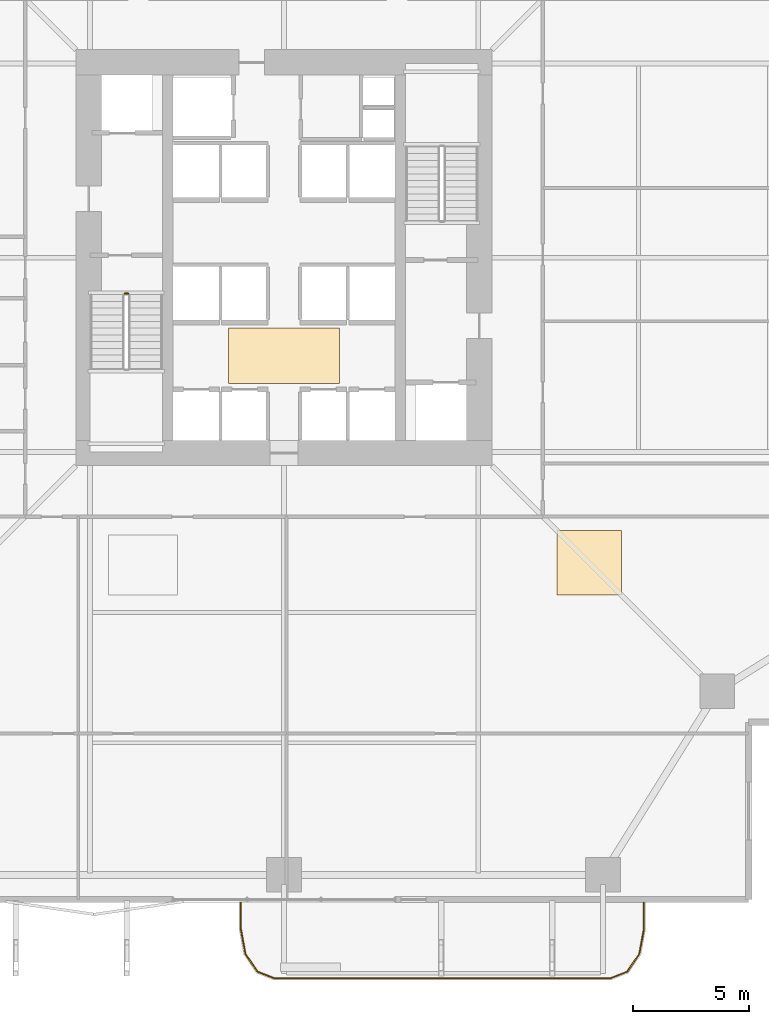
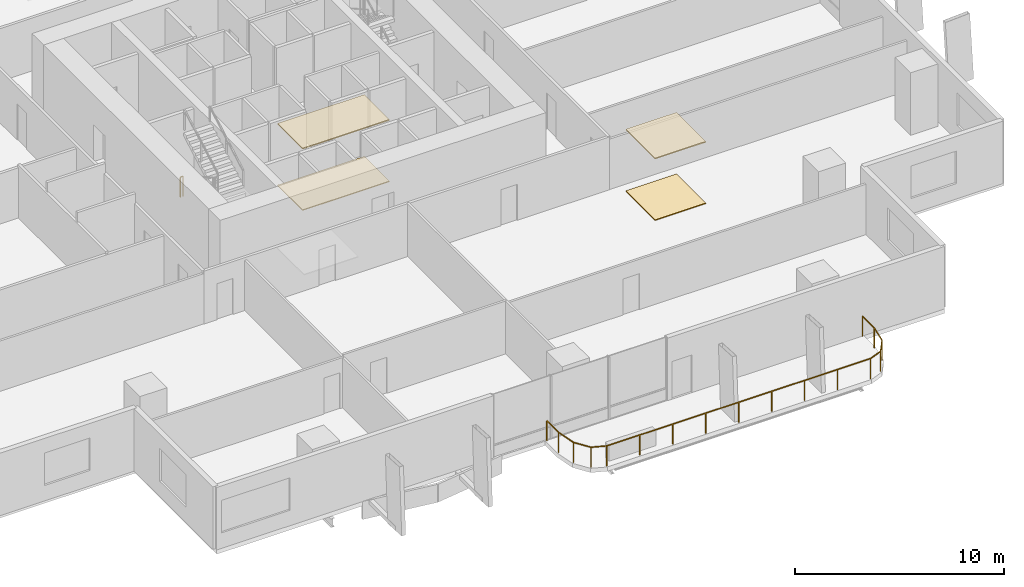
# One storey, part 22 of 24: 4 coverings, 2 railings.
"""IFC4 building model written with IfcOpenShell, lengths in metres."""

from ifc_helpers import new_model, si_unit, direction, frame, origin, origin_2d, place, context, subcontext, project, spatial, polyline, rectangle, outline, extrude, material, layer, layer_set, type_object, element, save


model = new_model("IFC4")

# Units and contexts
model_context = context("Model", 3, precision=1e-05, world=origin(), true_north=direction((0.0, 1.0)))
body_context = subcontext(model_context, "Body", "Model", "MODEL_VIEW")
ifc_project = project(units=[si_unit("LENGTHUNIT", "METRE"), si_unit("AREAUNIT", "SQUARE_METRE"), si_unit("VOLUMEUNIT", "CUBIC_METRE"), si_unit("PLANEANGLEUNIT", "RADIAN"), si_unit("MASSUNIT", "GRAM", prefix="KILO")], contexts=[model_context])

# Site, building, storey
site_placement = place(None, origin())
site = spatial("IfcSite", under=ifc_project, at=site_placement, CompositionType="ELEMENT")
building_placement = place(site_placement, origin())
building = spatial("IfcBuilding", under=site, at=building_placement, Name="Belovzor Exchange Tower", CompositionType="ELEMENT")
storey_placement = place(building_placement, frame((0.0, 0.0, 49.5)))
storey = spatial("IfcBuildingStorey", under=building, at=storey_placement, Name="L11", CompositionType="ELEMENT", Elevation=49.5)

# Railings
ifc_material_1 = material(Name="Stainless Steel and Laminated Safety Glass", Category="steel")
railing_type_1 = type_object("IfcRailingType", Name="Laminated Glass & Stainless Steel Balcony Balustrade 1200", PredefinedType="BALUSTRADE", material=ifc_material_1)
railing_1_placement = place(storey_placement, frame((26.929931640625, 0.889892578125, 0.0)))
element("IfcRailing", 1, at=railing_1_placement, inside=storey, type_object=railing_type_1, Name="GR-1 Balcony Balustrade L11 South", PredefinedType="BALUSTRADE", context=body_context, shape_type="SweptSolid", body=[
    extrude(rectangle(XDim=0.048095703125, YDim=0.048095703125, at=origin_2d()), frame((0.0, 0.0, 1.17578125), z_axis=(0.0, -1.0, 0.0), x_axis=(1.0, 0.0, 0.0)), (0.0, 0.0, 1.0), 1.1328125),
    extrude(rectangle(XDim=0.048095703125, YDim=0.048095703125, at=origin_2d()), frame((0.0, -1.1328125, 1.17578125), z_axis=(0.180083182347, -0.983651385113, 0.0), x_axis=(0.983651385113, 0.180083182347, 0.0)), (0.0, 0.0, 1.0), 1.093994140625),
    extrude(rectangle(XDim=0.048095703125, YDim=0.048095703125, at=origin_2d()), frame((0.197021484375, -2.208984375, 1.17578125), z_axis=(0.56294695933, -0.826493025367, 0.0), x_axis=(0.826493025367, 0.56294695933, 0.0)), (0.0, 0.0, 1.0), 0.932861328125),
    extrude(rectangle(XDim=0.048095703125, YDim=0.048095703125, at=origin_2d()), frame((0.72216796875, -2.97998046875, 1.17578125), z_axis=(0.930766990125, -0.365612923861, 0.0), x_axis=(0.365612923861, 0.930766990125, 0.0)), (0.0, 0.0, 1.0), 0.765869140625),
    extrude(rectangle(XDim=0.048095703125, YDim=0.048095703125, at=origin_2d()), frame((1.43505859375, -3.260009765625, 1.17578125), z_axis=(1.0, 0.0, 0.0), x_axis=(0.0, 1.0, 0.0)), (0.0, 0.0, 1.0), 14.570068359375),
    extrude(rectangle(XDim=0.048095703125, YDim=0.048095703125, at=origin_2d()), frame((16.005126953125, -3.260009765625, 1.17578125), z_axis=(0.930766990125, 0.365612923861, 0.0), x_axis=(-0.365612923861, 0.930766990125, 0.0)), (0.0, 0.0, 1.0), 0.765869140625),
    extrude(rectangle(XDim=0.048095703125, YDim=0.048095703125, at=origin_2d()), frame((16.718017578125, -2.97998046875, 1.17578125), z_axis=(0.56294695933, 0.826493025367, 0.0), x_axis=(-0.826493025367, 0.56294695933, 0.0)), (0.0, 0.0, 1.0), 0.932861328125),
    extrude(rectangle(XDim=0.048095703125, YDim=0.048095703125, at=origin_2d()), frame((17.2431640625, -2.208984375, 1.17578125), z_axis=(0.180083182347, 0.983651385113, 0.0), x_axis=(-0.983651385113, 0.180083182347, 0.0)), (0.0, 0.0, 1.0), 1.093994140625),
    extrude(rectangle(XDim=0.048095703125, YDim=0.048095703125, at=origin_2d()), frame((17.440185546875, -1.1328125, 1.17578125), z_axis=(0.0, 1.0, 0.0), x_axis=(-1.0, 0.0, 0.0)), (0.0, 0.0, 1.0), 1.1328125),
    extrude(rectangle(XDim=0.0419921875, YDim=0.0419921875, at=origin_2d()), origin(), (0.0, 0.0, 1.0), 1.15185546875),
    extrude(rectangle(XDim=0.0419921875, YDim=0.0419921875, at=origin_2d()), frame((0.0, -1.1328125, 0.0)), (0.0, 0.0, 1.0), 1.15185546875),
    extrude(rectangle(XDim=0.0419921875, YDim=0.0419921875, at=origin_2d()), frame((0.197021484375, -2.208984375, 0.0)), (0.0, 0.0, 1.0), 1.15185546875),
    extrude(rectangle(XDim=0.0419921875, YDim=0.0419921875, at=origin_2d()), frame((0.72216796875, -2.97998046875, 0.0)), (0.0, 0.0, 1.0), 1.15185546875),
    extrude(rectangle(XDim=0.0419921875, YDim=0.0419921875, at=origin_2d()), frame((1.43505859375, -3.260009765625, 0.0)), (0.0, 0.0, 1.0), 1.15185546875),
    extrude(rectangle(XDim=0.0419921875, YDim=0.0419921875, at=origin_2d()), frame((3.25634765625, -3.260009765625, 0.0)), (0.0, 0.0, 1.0), 1.15185546875),
    extrude(rectangle(XDim=0.0419921875, YDim=0.0419921875, at=origin_2d()), frame((5.07763671875, -3.260009765625, 0.0)), (0.0, 0.0, 1.0), 1.15185546875),
    extrude(rectangle(XDim=0.0419921875, YDim=0.0419921875, at=origin_2d()), frame((6.89892578125, -3.260009765625, 0.0)), (0.0, 0.0, 1.0), 1.15185546875),
    extrude(rectangle(XDim=0.0419921875, YDim=0.0419921875, at=origin_2d()), frame((8.72021484375, -3.260009765625, 0.0)), (0.0, 0.0, 1.0), 1.15185546875),
    extrude(rectangle(XDim=0.0419921875, YDim=0.0419921875, at=origin_2d()), frame((10.541259765625, -3.260009765625, 0.0)), (0.0, 0.0, 1.0), 1.15185546875),
    extrude(rectangle(XDim=0.0419921875, YDim=0.0419921875, at=origin_2d()), frame((12.362548828125, -3.260009765625, 0.0)), (0.0, 0.0, 1.0), 1.15185546875),
    extrude(rectangle(XDim=0.0419921875, YDim=0.0419921875, at=origin_2d()), frame((14.183837890625, -3.260009765625, 0.0)), (0.0, 0.0, 1.0), 1.15185546875),
    extrude(rectangle(XDim=0.0419921875, YDim=0.0419921875, at=origin_2d()), frame((16.005126953125, -3.260009765625, 0.0)), (0.0, 0.0, 1.0), 1.15185546875),
    extrude(rectangle(XDim=0.0419921875, YDim=0.0419921875, at=origin_2d()), frame((16.718017578125, -2.97998046875, 0.0)), (0.0, 0.0, 1.0), 1.15185546875),
    extrude(rectangle(XDim=0.0419921875, YDim=0.0419921875, at=origin_2d()), frame((17.2431640625, -2.208984375, 0.0)), (0.0, 0.0, 1.0), 1.15185546875),
    extrude(rectangle(XDim=0.0419921875, YDim=0.0419921875, at=origin_2d()), frame((17.440185546875, -1.1328125, 0.0)), (0.0, 0.0, 1.0), 1.15185546875),
    extrude(rectangle(XDim=0.0419921875, YDim=0.0419921875, at=origin_2d()), frame((17.440185546875, 0.0, 0.0)), (0.0, 0.0, 1.0), 1.15185546875),
])
ifc_material_2 = material(Name="Steel S355", Category="steel")
railing_type_2 = type_object("IfcRailingType", Name="Painted Steel Stairwell Guardrail 1200", PredefinedType="GUARDRAIL", material=ifc_material_2)
railing_2_placement = place(storey_placement, frame((21.89990234375, 27.25, 0.0)))
element("IfcRailing", 2, at=railing_2_placement, inside=storey, type_object=railing_type_2, Name="L11 ST-1 stair guard 4", PredefinedType="GUARDRAIL", context=body_context, shape_type="SweptSolid", body=[
    extrude(rectangle(XDim=0.048095703125, YDim=0.048095703125, at=origin_2d()), frame((0.0, 0.0, 1.17578125), z_axis=(1.0, 0.0, 0.0), x_axis=(0.0, 1.0, 0.0)), (0.0, 0.0, 1.0), 0.150146484375),
    extrude(rectangle(XDim=0.0419921875, YDim=0.0419921875, at=origin_2d()), origin(), (0.0, 0.0, 1.0), 1.15185546875),
    extrude(rectangle(XDim=0.0419921875, YDim=0.0419921875, at=origin_2d()), frame((0.150146484375, 0.0, 0.0)), (0.0, 0.0, 1.0), 1.15185546875),
])

# Coverings
ifc_material_3 = material(Name="Perforated Powder-Coated Aluminium", Category="aluminium")
ifc_layer_1 = layer(ifc_material_3, 0.06005859375)
ifc_layer_set_1 = layer_set([ifc_layer_1], Name="Perforated Powder-Coated Aluminium")
covering_type_1 = type_object("IfcCoveringType", Name="Perforated Acoustic Metal Tile Suspended Ceiling 60", PredefinedType="CEILING", material=ifc_layer_set_1)
covering_1_placement = place(storey_placement, frame((0.0, 0.0, 3.590087890625)))
element("IfcCovering", 3, at=covering_1_placement, inside=storey, type_object=covering_type_1, Name="CLG-AC60 Suspended Ceiling CLG-L11-LOB", PredefinedType="CEILING", context=body_context, shape_type="SweptSolid", body=[
    extrude(outline(polyline([(26.39990234375, 23.35009765625), (31.199951171875, 23.35009765625), (31.199951171875, 25.75), (26.39990234375, 25.75), (26.39990234375, 23.35009765625)])), origin(), (0.0, 0.0, 1.0), 0.059814453125),
])
covering_2_placement = place(storey_placement, frame((0.0, 0.0, 3.590087890625)))
element("IfcCovering", 4, at=covering_2_placement, inside=storey, type_object=covering_type_1, Name="CLG-AC60 Suspended Ceiling CLG-L11-Z1", PredefinedType="CEILING", context=body_context, shape_type="SweptSolid", body=[
    extrude(outline(polyline([(40.60009765625, 14.199951171875), (43.39990234375, 14.199951171875), (43.39990234375, 17.0), (40.60009765625, 17.0), (40.60009765625, 14.199951171875)])), origin(), (0.0, 0.0, 1.0), 0.059814453125),
])
ifc_material_4 = material(Name="Polished Natural Granite Tile", Category="masonry")
ifc_layer_2 = layer(ifc_material_4, 0.050048828125)
ifc_layer_set_2 = layer_set([ifc_layer_2], Name="Polished Natural Granite Tile")
covering_type_2 = type_object("IfcCoveringType", Name="Polished Karelian Granite & Raised Access Floor Finish 50", PredefinedType="FLOORING", material=ifc_layer_set_2)
covering_3_placement = place(storey_placement, origin())
element("IfcCovering", 5, at=covering_3_placement, inside=storey, type_object=covering_type_2, Name="FLR-GR50 Floor Finish FLR-L11-LOB", PredefinedType="FLOORING", context=body_context, shape_type="SweptSolid", body=[
    extrude(outline(polyline([(26.39990234375, 23.35009765625), (31.199951171875, 23.35009765625), (31.199951171875, 25.75), (26.39990234375, 25.75), (26.39990234375, 23.35009765625)])), origin(), (0.0, 0.0, 1.0), 0.050048828125),
])
covering_4_placement = place(storey_placement, origin())
element("IfcCovering", 6, at=covering_4_placement, inside=storey, type_object=covering_type_2, Name="FLR-GR50 Floor Finish FLR-L11-Z1", PredefinedType="FLOORING", context=body_context, shape_type="SweptSolid", body=[
    extrude(outline(polyline([(40.60009765625, 14.199951171875), (43.39990234375, 14.199951171875), (43.39990234375, 17.0), (40.60009765625, 17.0), (40.60009765625, 14.199951171875)])), origin(), (0.0, 0.0, 1.0), 0.050048828125),
])

save(model, "model.ifc")
